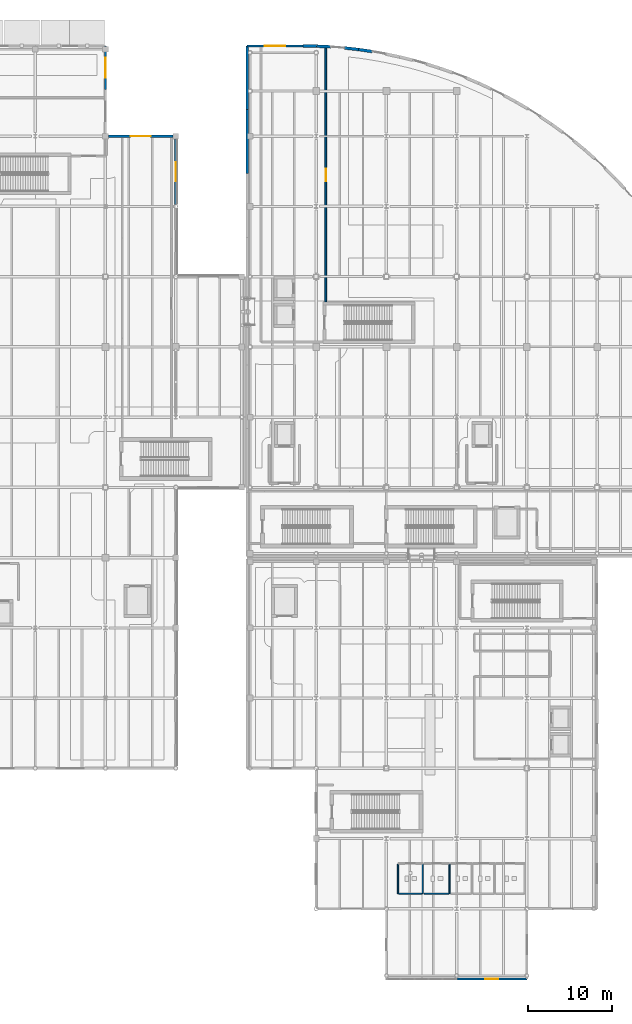
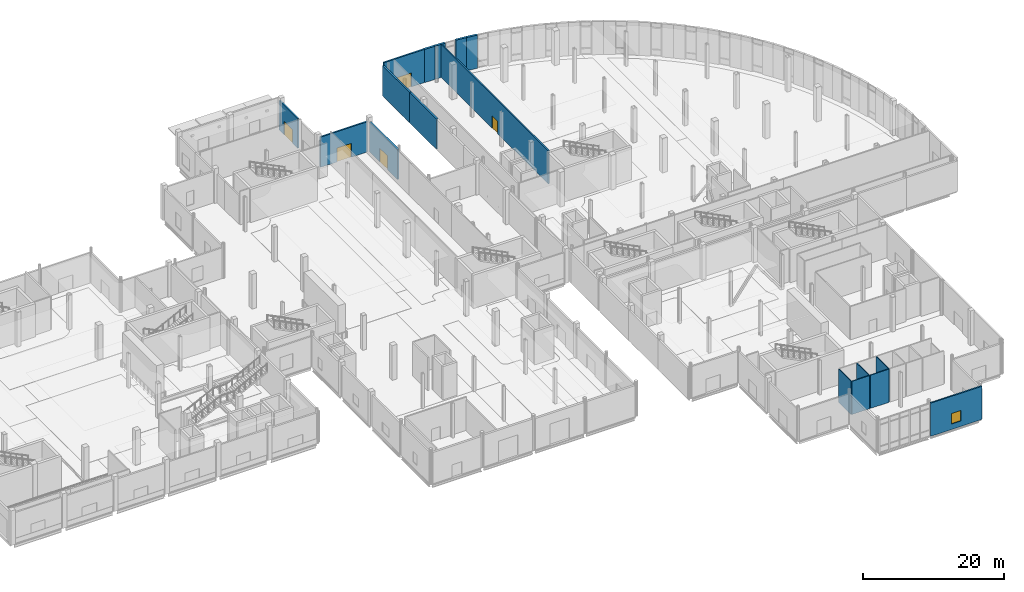
# One storey, part 51 of 85: 17 walls, 5 doors, 1 window, 6 openings.
"""IFC4 building model written with IfcOpenShell, lengths in metres."""

from ifc_helpers import new_model, si_unit, direction, frame, frame_2d, origin, place, context, subcontext, project, spatial, rectangle, extrude, material, layer, layer_set, type_object, element, fill, save


model = new_model("IFC4")

# Units and contexts
model_context = context("Model", 3, precision=1e-05, world=origin(), true_north=direction((0.0, 1.0)))
body_context = subcontext(model_context, "Body", "Model", "MODEL_VIEW")
ifc_project = project(units=[si_unit("LENGTHUNIT", "METRE"), si_unit("AREAUNIT", "SQUARE_METRE"), si_unit("VOLUMEUNIT", "CUBIC_METRE"), si_unit("PLANEANGLEUNIT", "RADIAN"), si_unit("MASSUNIT", "GRAM", prefix="KILO"), si_unit("THERMODYNAMICTEMPERATUREUNIT", "KELVIN")], contexts=[model_context])

# Site, building, storey
site_placement = place(None, origin())
site = spatial("IfcSite", under=ifc_project, at=site_placement, CompositionType="ELEMENT")
building_placement = place(site_placement, origin())
building = spatial("IfcBuilding", under=site, at=building_placement, Name="Lustrewick Department Store", CompositionType="ELEMENT")
storey_placement = place(building_placement, origin())
storey = spatial("IfcBuildingStorey", under=building, at=storey_placement, Name="L01", CompositionType="ELEMENT", Elevation=0.0)

# Wall, opening, door
ifc_material_1 = material(Name="Precast concrete C40", Category="concrete")
ifc_layer_1 = layer(ifc_material_1, 0.239990234375, Name="Precast concrete C40")
ifc_layer_set_1 = layer_set([ifc_layer_1], Name="Precast concrete C40")
wall_type_1 = type_object("IfcWallType", Name="EW01", PredefinedType="STANDARD", material=ifc_layer_set_1)
wall_1_placement = place(storey_placement, frame((92.39990234375, 106.37255859375, 0.0), z_axis=(0.0, 0.0, 1.0), x_axis=(0.0, 1.0, 0.0)))
wall_1 = element("IfcWall", 1, at=wall_1_placement, inside=storey, type_object=wall_type_1, Name="L01 V2 Exterior Wall EW01", PredefinedType="STANDARD", context=body_context, shape_type="SweptSolid", body=[
    extrude(rectangle(XDim=5.2275390625, YDim=0.239990234375, at=frame_2d((2.61376953125, 0.0))), origin(), (0.0, 0.0, 1.0), 5.131103515625),
])
opening_1_placement = place(wall_1_placement, frame((1.413818359375, 0.0, 0.0)))
opening_1 = element("IfcOpeningElement", 2, at=opening_1_placement, cuts=wall_1, Name="Opening D-EX34", PredefinedType="OPENING", context=body_context, shape_type="SweptSolid", body=[
    extrude(rectangle(XDim=2.39990234375, YDim=2.39990234375, at=frame_2d((1.199951171875, 1.199951171875))), frame((0.0, 0.1298828125, 0.0), z_axis=(0.0, -1.0, 0.0), x_axis=(1.0, 0.0, 0.0)), (0.0, 0.0, 1.0), 0.260009765625),
])
ifc_material_2 = material(Name="Thermally broken glazed aluminium entrance door", Category="aluminium")
door_type_1 = type_object("IfcDoorType", Name="DT-02", OperationType="NOTDEFINED", PredefinedType="DOOR", material=ifc_material_2)
door_1_placement = place(opening_1_placement, frame((2.39990234375, 0.0, 0.0), z_axis=(0.0, 0.0, 1.0), x_axis=(-1.0, 0.0, 0.0)))
door_1 = element("IfcDoor", 3, at=door_1_placement, inside=storey, type_object=door_type_1, Name="L01 Pedestrian Final Exit Door D-EX34", OperationType="DOUBLE_DOOR_SINGLE_SWING", OverallHeight=2.39990234375, OverallWidth=2.39990234375, PredefinedType="DOOR", context=body_context, shape_type="SweptSolid", body=[
    extrude(rectangle(XDim=2.39990234375, YDim=2.39990234375, at=frame_2d((1.199951171875, 1.199951171875))), frame((0.0, 0.02490234375, 0.0), z_axis=(0.0, -1.0, 0.0), x_axis=(1.0, 0.0, 0.0)), (0.0, 0.0, 1.0), 0.050048828125),
])
fill(opening_1, door_1)

# Wall, opening, window
wall_2_placement = place(storey_placement, frame((134.39990234375, 0.0, 0.0), z_axis=(0.0, 0.0, 1.0), x_axis=(1.0, 0.0, 0.0)))
wall_2 = element("IfcWall", 4, at=wall_2_placement, inside=storey, type_object=wall_type_1, Name="L01 V3 Exterior Wall EW01", PredefinedType="STANDARD", context=body_context, shape_type="SweptSolid", body=[
    extrude(rectangle(XDim=8.400146484375, YDim=0.239990234375, at=frame_2d((4.2001953125, 0.0))), origin(), (0.0, 0.0, 1.0), 5.7451171875),
])
opening_2_placement = place(wall_2_placement, frame((3.449951171875, 0.0, 0.949951171875)))
opening_2 = element("IfcOpeningElement", 5, at=opening_2_placement, cuts=wall_2, Name="Opening WN03", PredefinedType="OPENING", context=body_context, shape_type="SweptSolid", body=[
    extrude(rectangle(XDim=1.5, YDim=1.800048828125, at=frame_2d((0.75, 0.89990234375))), frame((0.0, 0.1298828125, 0.0), z_axis=(0.0, -1.0, 0.0), x_axis=(1.0, 0.0, 0.0)), (0.0, 0.0, 1.0), 0.260009765625),
])
ifc_material_3 = material(Name="Thermally broken Low-E triple-glazed window", Category="glass")
window_type = type_object("IfcWindowType", Name="WN03", PartitioningType="DOUBLE_PANEL_VERTICAL", PredefinedType="WINDOW", material=ifc_material_3)
window_placement = place(opening_2_placement, origin())
window = element("IfcWindow", 6, at=window_placement, inside=storey, type_object=window_type, Name="L01 Art Nouveau Window WN03", OverallHeight=1.800048828125, OverallWidth=1.5, PartitioningType="SINGLE_PANEL", PredefinedType="WINDOW", context=body_context, shape_type="SweptSolid", body=[
    extrude(rectangle(XDim=1.5, YDim=1.800048828125, at=frame_2d((0.75, 0.89990234375))), frame((0.0, 0.030029296875, 0.0), z_axis=(0.0, -1.0, 0.0), x_axis=(1.0, 0.0, 0.0)), (0.0, 0.0, 1.0), 0.06005859375),
])
fill(opening_2, window)

# Wall, opening, door
ifc_layer_2 = layer(ifc_material_1, 0.260009765625, Name="Precast concrete C40")
ifc_layer_set_2 = layer_set([ifc_layer_2], Name="Precast concrete C40")
wall_type_2 = type_object("IfcWallType", Name="EW02", PredefinedType="STANDARD", material=ifc_layer_set_2)
wall_3_placement = place(storey_placement, frame((100.800048828125, 92.62353515625, 0.0), z_axis=(0.0, 0.0, 1.0), x_axis=(0.0, 1.0, 0.0)))
wall_3 = element("IfcWall", 7, at=wall_3_placement, inside=storey, type_object=wall_type_2, Name="L01 V2 Exterior Wall EW02", PredefinedType="STANDARD", context=body_context, shape_type="SweptSolid", body=[
    extrude(rectangle(XDim=7.83154296875, YDim=0.260009765625, at=frame_2d((3.915771484375, 0.0))), origin(), (0.0, 0.0, 1.0), 5.23095703125),
])
opening_3_placement = place(wall_3_placement, frame((2.765625, 0.0, 0.0)))
opening_3 = element("IfcOpeningElement", 8, at=opening_3_placement, cuts=wall_3, Name="Opening D-EX25", PredefinedType="OPENING", context=body_context, shape_type="SweptSolid", body=[
    extrude(rectangle(XDim=2.300048828125, YDim=2.39990234375, at=frame_2d((1.14990234375, 1.199951171875))), frame((0.0, 0.14013671875, 0.0), z_axis=(0.0, -1.0, 0.0), x_axis=(1.0, 0.0, 0.0)), (0.0, 0.0, 1.0), 0.280029296875),
])
door_type_2 = type_object("IfcDoorType", Name="DT-01", OperationType="NOTDEFINED", PredefinedType="DOOR", material=ifc_material_2)
door_2_placement = place(opening_3_placement, frame((2.300048828125, 0.0, 0.0), z_axis=(0.0, 0.0, 1.0), x_axis=(-1.0, 0.0, 0.0)))
door_2 = element("IfcDoor", 9, at=door_2_placement, inside=storey, type_object=door_type_2, Name="L01 Pedestrian Final Exit Door D-EX25", OperationType="DOUBLE_DOOR_SINGLE_SWING", OverallHeight=2.39990234375, OverallWidth=2.300048828125, PredefinedType="DOOR", context=body_context, shape_type="SweptSolid", body=[
    extrude(rectangle(XDim=2.300048828125, YDim=2.39990234375, at=frame_2d((1.14990234375, 1.199951171875))), frame((0.0, 0.02490234375, 0.0), z_axis=(0.0, -1.0, 0.0), x_axis=(1.0, 0.0, 0.0)), (0.0, 0.0, 1.0), 0.050048828125),
])
fill(opening_3, door_2)

wall_4_placement = place(storey_placement, frame((100.455078125, 100.800048828125, 0.0), z_axis=(0.0, 0.0, 1.0), x_axis=(-1.0, 0.0, 0.0)))
wall_4 = element("IfcWall", 10, at=wall_4_placement, inside=storey, type_object=wall_type_2, Name="L01 V2 Exterior Wall EW02", PredefinedType="STANDARD", context=body_context, shape_type="SweptSolid", body=[
    extrude(rectangle(XDim=7.7099609375, YDim=0.260009765625, at=frame_2d((3.85498046875, 0.0))), origin(), (0.0, 0.0, 1.0), 5.23095703125),
])
opening_4_placement = place(wall_4_placement, frame((2.655029296875, 0.0, 0.0)))
opening_4 = element("IfcOpeningElement", 11, at=opening_4_placement, cuts=wall_4, Name="Opening D-EX28", PredefinedType="OPENING", context=body_context, shape_type="SweptSolid", body=[
    extrude(rectangle(XDim=2.39990234375, YDim=2.39990234375, at=frame_2d((1.199951171875, 1.199951171875))), frame((0.0, 0.14013671875, 0.0), z_axis=(0.0, -1.0, 0.0), x_axis=(1.0, 0.0, 0.0)), (0.0, 0.0, 1.0), 0.280029296875),
])
door_3_placement = place(opening_4_placement, frame((2.39990234375, 0.0, 0.0), z_axis=(0.0, 0.0, 1.0), x_axis=(-1.0, 0.0, 0.0)))
door_3 = element("IfcDoor", 12, at=door_3_placement, inside=storey, type_object=door_type_1, Name="L01 Pedestrian Final Exit Door D-EX28", OperationType="DOUBLE_DOOR_SINGLE_SWING", OverallHeight=2.39990234375, OverallWidth=2.39990234375, PredefinedType="DOOR", context=body_context, shape_type="SweptSolid", body=[
    extrude(rectangle(XDim=2.39990234375, YDim=2.39990234375, at=frame_2d((1.199951171875, 1.199951171875))), frame((0.0, 0.02490234375, 0.0), z_axis=(0.0, -1.0, 0.0), x_axis=(1.0, 0.0, 0.0)), (0.0, 0.0, 1.0), 0.050048828125),
])
fill(opening_4, door_3)

wall_5_placement = place(storey_placement, frame((116.0, 111.60009765625, 0.0), z_axis=(0.0, 0.0, 1.0), x_axis=(-1.0, 0.0, 0.0)))
wall_5 = element("IfcWall", 13, at=wall_5_placement, inside=storey, type_object=wall_type_2, Name="L01 V4 Exterior Wall EW02", PredefinedType="STANDARD", context=body_context, shape_type="SweptSolid", body=[
    extrude(rectangle(XDim=6.64990234375, YDim=0.260009765625, at=frame_2d((3.324951171875, 0.0))), origin(), (0.0, 0.0, 1.0), 5.7451171875),
])
opening_5_placement = place(wall_5_placement, frame((2.125, 0.0, 0.0)))
opening_5 = element("IfcOpeningElement", 14, at=opening_5_placement, cuts=wall_5, Name="Opening D-EX08", PredefinedType="OPENING", context=body_context, shape_type="SweptSolid", body=[
    extrude(rectangle(XDim=2.39990234375, YDim=2.39990234375, at=frame_2d((1.199951171875, 1.199951171875))), frame((0.0, 0.14013671875, 0.0), z_axis=(0.0, -1.0, 0.0), x_axis=(1.0, 0.0, 0.0)), (0.0, 0.0, 1.0), 0.280029296875),
])
door_4_placement = place(opening_5_placement, frame((2.39990234375, 0.0, 0.0), z_axis=(0.0, 0.0, 1.0), x_axis=(-1.0, 0.0, 0.0)))
door_4 = element("IfcDoor", 15, at=door_4_placement, inside=storey, type_object=door_type_1, Name="L01 Pedestrian Final Exit Door D-EX08", OperationType="DOUBLE_DOOR_SINGLE_SWING", OverallHeight=2.39990234375, OverallWidth=2.39990234375, PredefinedType="DOOR", context=body_context, shape_type="SweptSolid", body=[
    extrude(rectangle(XDim=2.39990234375, YDim=2.39990234375, at=frame_2d((1.199951171875, 1.199951171875))), frame((0.0, 0.02490234375, 0.0), z_axis=(0.0, -1.0, 0.0), x_axis=(1.0, 0.0, 0.0)), (0.0, 0.0, 1.0), 0.050048828125),
])
fill(opening_5, door_4)

# Walls
ifc_layer_3 = layer(ifc_material_1, 0.300048828125, Name="Precast concrete C40")
ifc_layer_set_3 = layer_set([ifc_layer_3], Name="Precast concrete C40")
wall_type_3 = type_object("IfcWallType", Name="EW04", PredefinedType="STANDARD", material=ifc_layer_set_3)
for number, where, z_axis, x_axis, name in (
    (16, (109.35009765625, 111.60009765625, 0.0), (0.0, 0.0, 1.0), (0.0, -1.0, 0.0), "L01 V4 Exterior Wall EW04"),
    (17, (109.35009765625, 103.96875, 0.0), (0.0, 0.0, 1.0), (0.0, -1.0, 0.0), "L01 V4 Exterior Wall EW04"),
):
    element("IfcWall", number, at=place(storey_placement, frame(where, z_axis=z_axis, x_axis=x_axis)), inside=storey, type_object=wall_type_3, Name=name, PredefinedType="STANDARD", context=body_context, shape_type="SweptSolid", body=[
        extrude(rectangle(XDim=7.63134765625, YDim=0.300048828125, at=frame_2d((3.815673828125, 0.0))), origin(), (0.0, 0.0, 1.0), 5.23095703125),
    ])
ifc_layer_4 = layer(ifc_material_1, 0.35009765625, Name="Precast concrete C40")
ifc_layer_set_4 = layer_set([ifc_layer_4], Name="Precast concrete C40")
wall_type_4 = type_object("IfcWallType", Name="EW06", PredefinedType="STANDARD", material=ifc_layer_set_4)
for number, where, z_axis, x_axis, name in (
    (18, (124.29931640625, 110.93359375, 0.0), (0.0, 0.0, 1.0), (-0.989624714051, 0.143676460631, 0.0), "L01 V4 Exterior Wall EW06"),
    (19, (122.649658203125, 111.173095703125, 0.0), (0.0, 0.0, 1.0), (-0.993720125117, 0.111894204214, 0.0), "L01 V4 Exterior Wall EW06"),
    (20, (119.331787109375, 111.4931640625, 0.0), (0.0, 0.0, 1.0), (-0.998845493608, 0.048038316995, 0.0), "L01 V4 Exterior Wall EW06"),
    (21, (117.666748046875, 111.5732421875, 0.0), (0.0, 0.0, 1.0), (-0.999870219029, 0.016110403412, 0.0), "L01 V4 Exterior Wall EW06"),
):
    element("IfcWall", number, at=place(storey_placement, frame(where, z_axis=z_axis, x_axis=x_axis)), inside=storey, type_object=wall_type_4, Name=name, PredefinedType="STANDARD", context=body_context, shape_type="SweptSolid", body=[
        extrude(rectangle(XDim=1.6669921875, YDim=0.35009765625, at=frame_2d((0.83349609375, 0.0))), origin(), (0.0, 0.0, 1.0), 5.7451171875),
    ])

# Wall, opening, door
ifc_material_4 = material(Name="Autoclaved aerated concrete blockwork and fire board", Category="masonry")
ifc_layer_5 = layer(ifc_material_4, 0.205078125, Name="Autoclaved aerated concrete blockwork and fire board")
ifc_layer_set_5 = layer_set([ifc_layer_5], Name="Autoclaved aerated concrete blockwork and fire board")
wall_type_5 = type_object("IfcWallType", Name="PW02", PredefinedType="PARTITIONING", material=ifc_layer_set_5)
wall_6_placement = place(storey_placement, frame((118.75, 80.9951171875, 0.0), z_axis=(0.0, 0.0, 1.0), x_axis=(0.0, 1.0, 0.0)))
wall_6 = element("IfcWall", 22, at=wall_6_placement, inside=storey, type_object=wall_type_5, Name="L01 Protected Exit Passageway ST10 PW02", PredefinedType="PARTITIONING", context=body_context, shape_type="SweptSolid", body=[
    extrude(rectangle(XDim=30.35595703125, YDim=0.205078125, at=frame_2d((15.177978515625, 0.0))), origin(), (0.0, 0.0, 1.0), 5.7451171875),
])
opening_6_placement = place(wall_6_placement, frame((14.427978515625, 0.0, 0.0)))
opening_6 = element("IfcOpeningElement", 23, at=opening_6_placement, cuts=wall_6, Name="Opening D-L01-063", PredefinedType="OPENING", context=body_context, shape_type="SweptSolid", body=[
    extrude(rectangle(XDim=1.5, YDim=2.14990234375, at=frame_2d((0.75, 1.074951171875))), frame((0.0, 0.112548828125, 0.0), z_axis=(0.0, -1.0, 0.0), x_axis=(1.0, 0.0, 0.0)), (0.0, 0.0, 1.0), 0.22509765625),
])
ifc_material_5 = material(Name="Steel fire door Class B EI 60", Category="steel")
door_type_3 = type_object("IfcDoorType", Name="DT-07", OperationType="NOTDEFINED", PredefinedType="DOOR", material=ifc_material_5)
door_5_placement = place(opening_6_placement, origin())
door_5 = element("IfcDoor", 24, at=door_5_placement, inside=storey, type_object=door_type_3, Name="L01 Protected Exit Passageway ST10 Door D-L01-063", OperationType="SINGLE_SWING_RIGHT", OverallHeight=2.14990234375, OverallWidth=1.5, PredefinedType="DOOR", context=body_context, shape_type="SweptSolid", body=[
    extrude(rectangle(XDim=1.5, YDim=2.14990234375, at=frame_2d((0.75, 1.074951171875))), frame((0.0, 0.02490234375, 0.0), z_axis=(0.0, -1.0, 0.0), x_axis=(1.0, 0.0, 0.0)), (0.0, 0.0, 1.0), 0.050048828125),
])
fill(opening_6, door_5)

# Walls
ifc_material_6 = material(Name="Moisture-resistant cement board sanitary partition", Category="gypsum")
ifc_layer_6 = layer(ifc_material_6, 0.14990234375, Name="Moisture-resistant cement board sanitary partition")
ifc_layer_set_6 = layer_set([ifc_layer_6], Name="Moisture-resistant cement board sanitary partition")
wall_type_6 = type_object("IfcWallType", Name="PW05", PredefinedType="PARTITIONING", material=ifc_layer_set_6)
for number, where, z_axis, x_axis, name in (
    (25, (130.340087890625, 10.199951171875, 0.0), (0.0, 0.0, 1.0), (0.0, 1.0, 0.0), "L01 Male Public WC PW05"),
    (26, (127.39990234375, 13.72998046875, 0.0), (0.0, 0.0, 1.0), (0.0, -1.0, 0.0), "L01 Male Public WC PW05"),
):
    element("IfcWall", number, at=place(storey_placement, frame(where, z_axis=z_axis, x_axis=x_axis)), inside=storey, type_object=wall_type_6, Name=name, PredefinedType="PARTITIONING", context=body_context, shape_type="SweptSolid", body=[
        extrude(rectangle(XDim=3.530029296875, YDim=0.14990234375, at=frame_2d((1.76513671875, 0.0))), origin(), (0.0, 0.0, 1.0), 5.7451171875),
    ])
wall_7_placement = place(storey_placement, frame((127.469970703125, 10.199951171875, 0.0), z_axis=(0.0, 0.0, 1.0), x_axis=(1.0, 0.0, 0.0)))
element("IfcWall", 27, at=wall_7_placement, inside=storey, type_object=wall_type_6, Name="L01 Male Public WC PW05", PredefinedType="PARTITIONING", context=body_context, shape_type="SweptSolid", body=[
    extrude(rectangle(XDim=2.800048828125, YDim=0.14990234375, at=frame_2d((1.39990234375, 0.0))), origin(), (0.0, 0.0, 1.0), 5.7451171875),
])
wall_8_placement = place(storey_placement, frame((133.5400390625, 10.199951171875, 0.0), z_axis=(0.0, 0.0, 1.0), x_axis=(0.0, 1.0, 0.0)))
element("IfcWall", 28, at=wall_8_placement, inside=storey, type_object=wall_type_6, Name="L01 Female Public WC PW05", PredefinedType="PARTITIONING", context=body_context, shape_type="SweptSolid", body=[
    extrude(rectangle(XDim=3.530029296875, YDim=0.14990234375, at=frame_2d((1.76513671875, 0.0))), origin(), (0.0, 0.0, 1.0), 5.7451171875),
])
wall_9_placement = place(storey_placement, frame((130.5, 10.199951171875, 0.0), z_axis=(0.0, 0.0, 1.0), x_axis=(1.0, 0.0, 0.0)))
element("IfcWall", 29, at=wall_9_placement, inside=storey, type_object=wall_type_6, Name="L01 Female Public WC PW05", PredefinedType="PARTITIONING", context=body_context, shape_type="SweptSolid", body=[
    extrude(rectangle(XDim=2.969970703125, YDim=0.14990234375, at=frame_2d((1.48486328125, 0.0))), origin(), (0.0, 0.0, 1.0), 5.7451171875),
])

save(model, "model.ifc")
